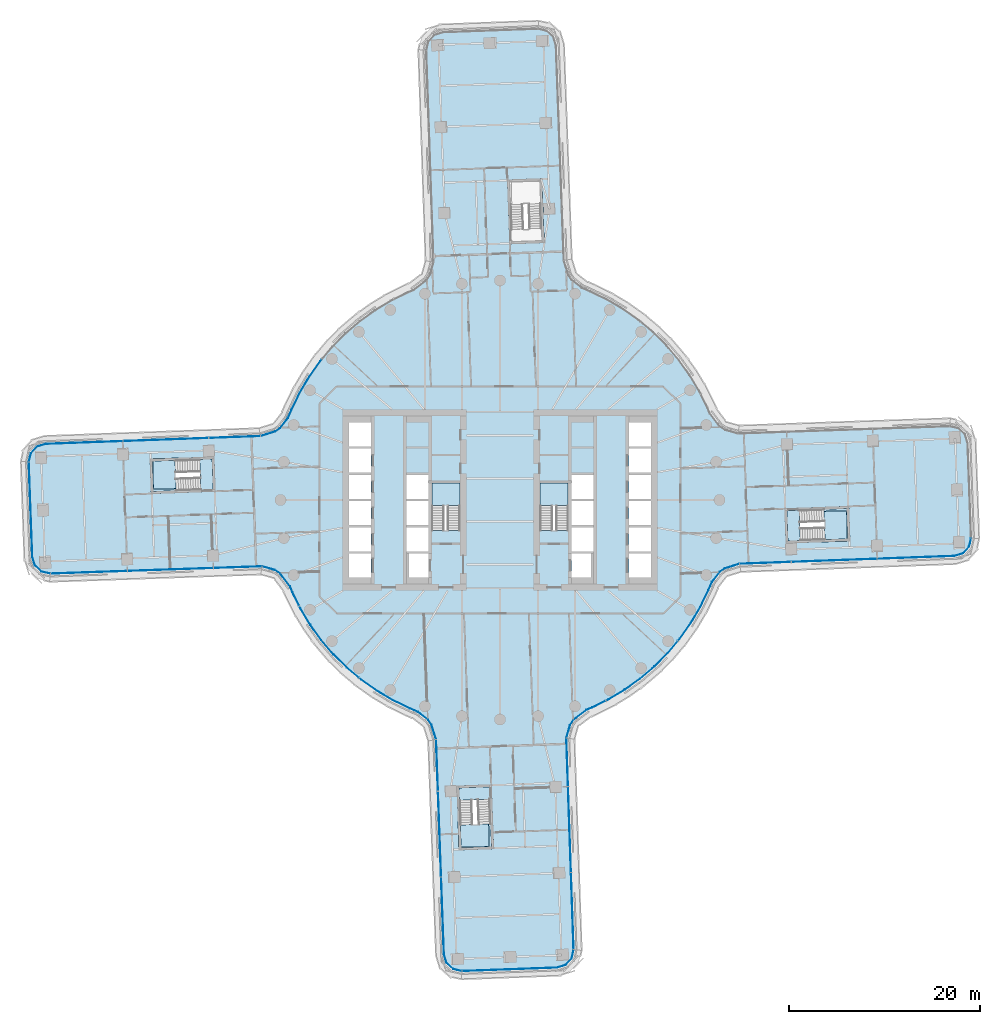
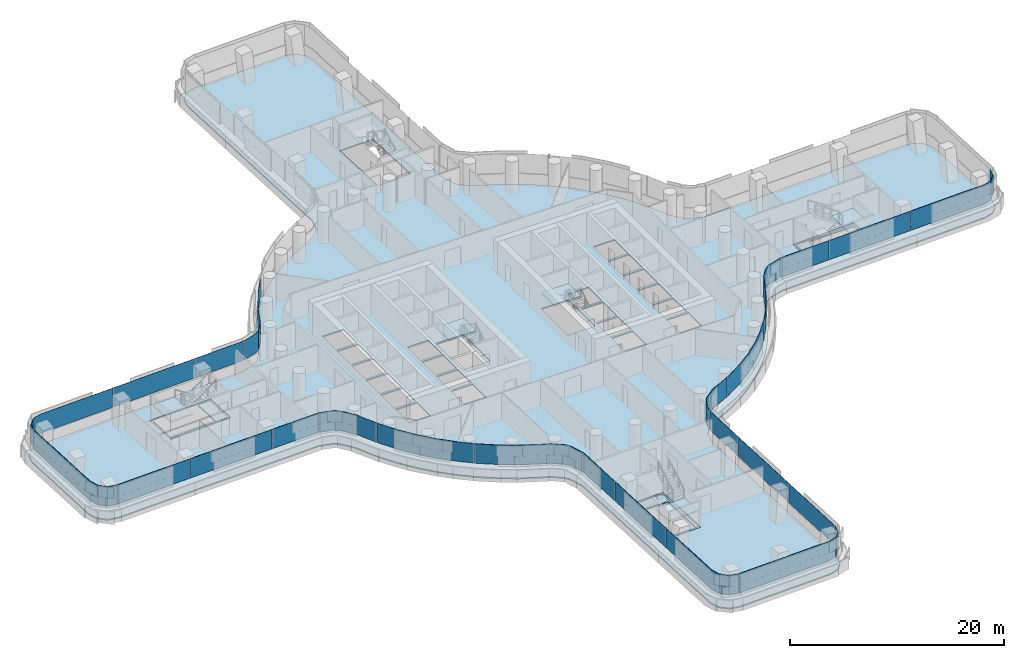
# One storey, part 17 of 31: 24 plates, 9 slabs, 15 elements without a shape of their own.
"""IFC4 building model written with IfcOpenShell, lengths in metres."""

from ifc_helpers import new_model, si_unit, direction, frame, origin, place, context, subcontext, project, spatial, polyline, outline, extrude, material, layer, layer_set, type_object, element, aggregate, save


model = new_model("IFC4")

# Units and contexts
model_context = context("Model", 3, precision=1e-05, world=origin(), true_north=direction((0.0, 1.0)))
body_context = subcontext(model_context, "Body", "Model", "MODEL_VIEW")
ifc_project = project(units=[si_unit("LENGTHUNIT", "METRE"), si_unit("AREAUNIT", "SQUARE_METRE"), si_unit("VOLUMEUNIT", "CUBIC_METRE"), si_unit("PLANEANGLEUNIT", "RADIAN"), si_unit("MASSUNIT", "GRAM", prefix="KILO")], contexts=[model_context])

# Site, building, storey
site_placement = place(None, origin())
site = spatial("IfcSite", under=ifc_project, at=site_placement, CompositionType="ELEMENT")
building_placement = place(site_placement, origin())
building = spatial("IfcBuilding", under=site, at=building_placement, Name="Tamarind Cross Interchange Tower", CompositionType="ELEMENT")
storey_placement = place(building_placement, frame((0.0, 0.0, 41.5)))
storey = spatial("IfcBuildingStorey", under=building, at=storey_placement, Name="L08", CompositionType="ELEMENT", Elevation=41.5)

# Slabs
ifc_material_1 = material(Name="Concrete C35", Category="concrete")
ifc_layer_1 = layer(ifc_material_1, 0.139892578125)
ifc_layer_set_1 = layer_set([ifc_layer_1], Name="Concrete C35")
slab_type_1 = type_object("IfcSlabType", Name="Composite slab 140 Concrete C35", PredefinedType="FLOOR", material=ifc_layer_set_1)
slab_1_placement = place(storey_placement, frame((0.0, 0.0, -0.139892578125)))
element("IfcSlab", 1, at=slab_1_placement, inside=storey, type_object=slab_type_1, Name="Floor slab L08", PredefinedType="FLOOR", context=body_context, shape_type="SweptSolid", body=[
    extrude(outline(polyline([(-23.639892578125, 7.353759765625), (-25.13623046875, 6.89013671875), (-47.640380859375, 6.069091796875), (-48.6298828125, 5.764892578125), (-49.3349609375, 5.006591796875), (-49.566162109375, 3.99755859375), (-49.20166015625, -5.995849609375), (-48.8974609375, -6.9853515625), (-48.13916015625, -7.690185546875), (-47.1298828125, -7.921630859375), (-24.973388671875, -7.16015625), (-23.666015625, -7.525390625), (-23.17041015625, -7.85107421875), (-22.162109375, -9.170166015625), (-21.93310546875, -9.7333984375), (-21.054443359375, -11.511474609375), (-20.031982421875, -13.2109375), (-18.87255859375, -14.820068359375), (-17.584228515625, -16.327880859375), (-16.17578125, -17.72412109375), (-14.656982421875, -18.99951171875), (-13.0380859375, -20.14501953125), (-11.329833984375, -21.15283203125), (-9.54443359375, -22.01611328125), (-8.688232421875, -22.39501953125), (-7.678466796875, -23.182861328125), (-7.353759765625, -23.639892578125), (-6.89013671875, -25.13623046875), (-6.069091796875, -47.640380859375), (-5.764892578125, -48.6298828125), (-5.006591796875, -49.3349609375), (-3.99755859375, -49.566162109375), (5.995849609375, -49.20166015625), (6.9853515625, -48.8974609375), (7.690185546875, -48.13916015625), (7.921630859375, -47.1298828125), (7.16015625, -24.973388671875), (7.525390625, -23.666015625), (7.85107421875, -23.17041015625), (9.170166015625, -22.162109375), (9.7333984375, -21.93310546875), (11.511474609375, -21.054443359375), (13.2109375, -20.031982421875), (14.820068359375, -18.87255859375), (16.327880859375, -17.584228515625), (17.72412109375, -16.17578125), (18.99951171875, -14.656982421875), (20.14501953125, -13.0380859375), (21.15283203125, -11.329833984375), (22.01611328125, -9.54443359375), (22.39501953125, -8.688232421875), (23.182861328125, -7.678466796875), (23.639892578125, -7.353759765625), (25.13623046875, -6.89013671875), (47.640380859375, -6.069091796875), (48.6298828125, -5.764892578125), (49.3349609375, -5.006591796875), (49.566162109375, -3.99755859375), (49.20166015625, 5.995849609375), (48.8974609375, 6.9853515625), (48.13916015625, 7.690185546875), (47.1298828125, 7.921630859375), (24.973388671875, 7.16015625), (23.666015625, 7.525390625), (23.17041015625, 7.85107421875), (22.162109375, 9.170166015625), (21.93310546875, 9.7333984375), (21.054443359375, 11.511474609375), (20.031982421875, 13.2109375), (18.87255859375, 14.820068359375), (17.584228515625, 16.327880859375), (16.17578125, 17.72412109375), (14.656982421875, 18.99951171875), (13.0380859375, 20.14501953125), (11.329833984375, 21.15283203125), (9.54443359375, 22.01611328125), (8.688232421875, 22.39501953125), (7.678466796875, 23.182861328125), (7.353759765625, 23.639892578125), (6.89013671875, 25.13623046875), (6.069091796875, 47.640380859375), (5.764892578125, 48.6298828125), (5.006591796875, 49.3349609375), (3.99755859375, 49.566162109375), (-5.995849609375, 49.20166015625), (-6.9853515625, 48.8974609375), (-7.690185546875, 48.13916015625), (-7.921630859375, 47.1298828125), (-7.16015625, 24.973388671875), (-7.525390625, 23.666015625), (-7.85107421875, 23.17041015625), (-9.170166015625, 22.162109375), (-9.7333984375, 21.93310546875), (-11.511474609375, 21.054443359375), (-13.2109375, 20.031982421875), (-14.820068359375, 18.87255859375), (-16.327880859375, 17.584228515625), (-17.72412109375, 16.17578125), (-18.99951171875, 14.656982421875), (-20.14501953125, 13.0380859375), (-21.15283203125, 11.329833984375), (-22.01611328125, 9.54443359375), (-22.39501953125, 8.688232421875), (-23.182861328125, 7.678466796875), (-23.639892578125, 7.353759765625)]), holes=[polyline([(-13.5, -8.125), (-15.800048828125, -8.125), (-15.800048828125, -5.625), (-13.5, -5.625), (-13.5, -8.125)]), polyline([(-13.5, -5.375), (-15.800048828125, -5.375), (-15.800048828125, -2.875), (-13.5, -2.875), (-13.5, -5.375)]), polyline([(-7.5, -5.375), (-9.800048828125, -5.375), (-9.800048828125, -2.875), (-7.5, -2.875), (-7.5, -5.375)]), polyline([(-15.800048828125, -2.625), (-15.800048828125, -0.125), (-13.5, -0.125), (-13.5, -2.625), (-15.800048828125, -2.625)]), polyline([(-9.800048828125, -2.625), (-9.800048828125, -0.125), (-7.5, -0.125), (-7.5, -2.625), (-9.800048828125, -2.625)]), polyline([(-29.838623046875, 0.914794921875), (-36.5341796875, 0.67041015625), (-36.54150390625, 0.870361328125), (-36.658203125, 4.068115234375), (-36.665283203125, 4.26806640625), (-36.38037109375, 4.278564453125), (-36.381591796875, 4.33837890625), (-33.09228515625, 4.3984375), (-29.9697265625, 4.512451171875), (-29.96240234375, 4.3125), (-29.845947265625, 1.11474609375), (-29.838623046875, 0.914794921875)]), polyline([(-13.5, 0.125), (-15.800048828125, 0.125), (-15.800048828125, 2.625), (-13.5, 2.625), (-13.5, 0.125)]), polyline([(-7.5, 0.125), (-9.800048828125, 0.125), (-9.800048828125, 2.625), (-7.5, 2.625), (-7.5, 0.125)]), polyline([(-13.5, 2.875), (-15.800048828125, 2.875), (-15.800048828125, 5.375), (-13.5, 5.375), (-13.5, 2.875)]), polyline([(-15.800048828125, 5.625), (-15.800048828125, 8.125), (-13.5, 8.125), (-13.5, 5.625), (-15.800048828125, 5.625)]), polyline([(-0.67041015625, -36.5341796875), (-0.870361328125, -36.54150390625), (-4.068115234375, -36.658203125), (-4.26806640625, -36.665283203125), (-4.278564453125, -36.38037109375), (-4.33837890625, -36.381591796875), (-4.3984375, -33.09228515625), (-4.512451171875, -29.9697265625), (-4.3125, -29.96240234375), (-1.11474609375, -29.845947265625), (-0.914794921875, -29.838623046875), (-0.67041015625, -36.5341796875)]), polyline([(-9.800048828125, -8.125), (-9.800048828125, -5.625), (-7.5, -5.625), (-7.5, -8.125), (-9.800048828125, -8.125)]), polyline([(9.800048828125, -2.875), (9.800048828125, -5.375), (7.5, -5.375), (7.5, -2.875), (9.800048828125, -2.875)]), polyline([(-4.199951171875, 1.800048828125), (-4.199951171875, -3.18798828125), (-7.14990234375, -3.18798828125), (-7.14990234375, 1.800048828125), (-4.199951171875, 1.800048828125)]), polyline([(7.14990234375, 1.800048828125), (7.14990234375, -3.18798828125), (4.199951171875, -3.18798828125), (4.199951171875, 1.800048828125), (7.14990234375, 1.800048828125)]), polyline([(4.621826171875, 26.9716796875), (4.421875, 26.964599609375), (1.22412109375, 26.847900390625), (1.024169921875, 26.840576171875), (0.77978515625, 33.5361328125), (0.979736328125, 33.54345703125), (4.177490234375, 33.66015625), (4.37744140625, 33.66748046875), (4.387939453125, 33.3818359375), (4.393310546875, 33.382080078125), (4.3984375, 33.09228515625), (4.621826171875, 26.9716796875)]), polyline([(7.5, -5.625), (9.800048828125, -5.625), (9.800048828125, -8.125), (7.5, -8.125), (7.5, -5.625)]), polyline([(15.800048828125, -5.625), (15.800048828125, -8.125), (13.5, -8.125), (13.5, -5.625), (15.800048828125, -5.625)]), polyline([(33.09228515625, -4.3984375), (29.9697265625, -4.512451171875), (29.96240234375, -4.3125), (29.845947265625, -1.11474609375), (29.838623046875, -0.914794921875), (36.5341796875, -0.67041015625), (36.54150390625, -0.870361328125), (36.658203125, -4.068115234375), (36.665283203125, -4.26806640625), (36.38037109375, -4.278564453125), (36.381591796875, -4.33837890625), (33.09228515625, -4.3984375)]), polyline([(13.5, -2.875), (15.800048828125, -2.875), (15.800048828125, -5.375), (13.5, -5.375), (13.5, -2.875)]), polyline([(9.800048828125, -0.125), (9.800048828125, -2.625), (7.5, -2.625), (7.5, -0.125), (9.800048828125, -0.125)]), polyline([(13.5, -0.125), (15.800048828125, -0.125), (15.800048828125, -2.625), (13.5, -2.625), (13.5, -0.125)]), polyline([(9.800048828125, 2.625), (9.800048828125, 0.125), (7.5, 0.125), (7.5, 2.625), (9.800048828125, 2.625)]), polyline([(13.5, 2.625), (15.800048828125, 2.625), (15.800048828125, 0.125), (13.5, 0.125), (13.5, 2.625)]), polyline([(15.800048828125, 5.375), (15.800048828125, 2.875), (13.5, 2.875), (13.5, 5.375), (15.800048828125, 5.375)]), polyline([(15.800048828125, 8.125), (15.800048828125, 5.625), (13.5, 5.625), (13.5, 8.125), (15.800048828125, 8.125)])]), origin(), (0.0, 0.0, 1.0), 0.139892578125),
])
slab_2_placement = place(storey_placement, frame((0.0, 0.0, -0.139892578125)))
element("IfcSlab", 2, at=slab_2_placement, inside=storey, type_object=slab_type_1, Name="Floor slab L08", PredefinedType="FLOOR", context=body_context, shape_type="SweptSolid", body=[
    extrude(outline(polyline([(-36.322998046875, 1.138916015625), (-36.376708984375, 4.07861328125), (-36.458251953125, 4.075439453125), (-36.341552734375, 0.877685546875), (-30.045654296875, 1.107421875), (-30.162353515625, 4.30517578125), (-31.39111328125, 4.260498046875), (-31.473388671875, 4.25732421875), (-31.363037109375, 1.2294921875), (-36.322998046875, 1.138916015625)])), origin(), (0.0, 0.0, 1.0), 0.139892578125),
])
slab_3_placement = place(storey_placement, frame((0.0, 0.0, -0.139892578125)))
element("IfcSlab", 3, at=slab_3_placement, inside=storey, type_object=slab_type_1, Name="Floor slab L08", PredefinedType="FLOOR", context=body_context, shape_type="SweptSolid", body=[
    extrude(outline(polyline([(-4.075439453125, -36.458251953125), (-0.877685546875, -36.341552734375), (-1.107421875, -30.045654296875), (-4.30517578125, -30.162353515625), (-4.260498046875, -31.39111328125), (-4.25732421875, -31.473388671875), (-1.2294921875, -31.363037109375), (-1.138916015625, -36.322998046875), (-4.07861328125, -36.376708984375), (-4.075439453125, -36.458251953125)])), origin(), (0.0, 0.0, 1.0), 0.139892578125),
])
slab_4_placement = place(storey_placement, frame((0.0, 0.0, -0.139892578125)))
element("IfcSlab", 4, at=slab_4_placement, inside=storey, type_object=slab_type_1, Name="Floor slab L08", PredefinedType="FLOOR", context=body_context, shape_type="SweptSolid", body=[
    extrude(outline(polyline([(36.3232421875, -1.138916015625), (36.376708984375, -4.07861328125), (36.458251953125, -4.075439453125), (36.341552734375, -0.877685546875), (30.045654296875, -1.107421875), (30.162353515625, -4.30517578125), (31.39111328125, -4.260498046875), (31.473388671875, -4.25732421875), (31.363037109375, -1.2294921875), (36.3232421875, -1.138916015625)])), origin(), (0.0, 0.0, 1.0), 0.139892578125),
])

# Stair, slab
ifc_material_2 = material(Name="Exit stair")
stair_type = type_object("IfcStairType", Name="Exit stair", PredefinedType="HALF_TURN_STAIR", material=ifc_material_2)
stair_1_placement = place(storey_placement, origin())
stair_1 = element("IfcStair", 5, at=stair_1_placement, inside=storey, type_object=stair_type, Name="L08 exit stair ST1", PredefinedType="HALF_TURN_STAIR")
ifc_material_3 = material(Name="Concrete C40", Category="concrete")
ifc_layer_2 = layer(ifc_material_3, 0.199951171875)
ifc_layer_set_2 = layer_set([ifc_layer_2], Name="Concrete C40")
slab_type_2 = type_object("IfcSlabType", Name="Stair landing", PredefinedType="LANDING", material=ifc_layer_set_2)
slab_5_placement = place(storey_placement, frame((0.0, 0.0, 1.675048828125)))
slab_5 = element("IfcSlab", 6, at=slab_5_placement, type_object=slab_type_2, Name="ST1 landing 1", PredefinedType="LANDING", context=body_context, shape_type="SweptSolid", body=[
    extrude(outline(polyline([(-4.199951171875, -0.60009765625), (-4.199951171875, 1.800048828125), (-7.14990234375, 1.800048828125), (-7.14990234375, -0.60009765625), (-4.199951171875, -0.60009765625)])), origin(), (0.0, 0.0, 1.0), 0.199951171875),
])
aggregate(stair_1, [slab_5])

stair_2_placement = place(storey_placement, origin())
stair_2 = element("IfcStair", 7, at=stair_2_placement, inside=storey, type_object=stair_type, Name="L08 exit stair ST2", PredefinedType="HALF_TURN_STAIR")
slab_6_placement = place(storey_placement, frame((0.0, 0.0, 1.675048828125)))
slab_6 = element("IfcSlab", 8, at=slab_6_placement, type_object=slab_type_2, Name="ST2 landing 1", PredefinedType="LANDING", context=body_context, shape_type="SweptSolid", body=[
    extrude(outline(polyline([(7.14990234375, -0.60009765625), (7.14990234375, 1.800048828125), (4.199951171875, 1.800048828125), (4.199951171875, -0.60009765625), (7.14990234375, -0.60009765625)])), origin(), (0.0, 0.0, 1.0), 0.199951171875),
])
aggregate(stair_2, [slab_6])

stair_3_placement = place(storey_placement, origin())
stair_3 = element("IfcStair", 9, at=stair_3_placement, inside=storey, type_object=stair_type, Name="L08 exit stair ST3", PredefinedType="HALF_TURN_STAIR")
slab_7_placement = place(storey_placement, frame((0.0, 0.0, 1.675048828125)))
slab_7 = element("IfcSlab", 10, at=slab_7_placement, type_object=slab_type_2, Name="ST3 landing 1", PredefinedType="LANDING", context=body_context, shape_type="SweptSolid", body=[
    extrude(outline(polyline([(34.0478515625, -4.16357421875), (36.458251953125, -4.075439453125), (36.341552734375, -0.877685546875), (33.93115234375, -0.965576171875), (34.0478515625, -4.16357421875)])), origin(), (0.0, 0.0, 1.0), 0.199951171875),
])
aggregate(stair_3, [slab_7])

stair_4_placement = place(storey_placement, origin())
stair_4 = element("IfcStair", 11, at=stair_4_placement, inside=storey, type_object=stair_type, Name="L08 exit stair ST5", PredefinedType="HALF_TURN_STAIR")
slab_8_placement = place(storey_placement, frame((0.0, 0.0, 1.675048828125)))
slab_8 = element("IfcSlab", 12, at=slab_8_placement, type_object=slab_type_2, Name="ST5 landing 1", PredefinedType="LANDING", context=body_context, shape_type="SweptSolid", body=[
    extrude(outline(polyline([(-34.0478515625, 4.16357421875), (-36.458251953125, 4.075439453125), (-36.341552734375, 0.877685546875), (-33.93115234375, 0.965576171875), (-34.0478515625, 4.16357421875)])), origin(), (0.0, 0.0, 1.0), 0.199951171875),
])
aggregate(stair_4, [slab_8])

stair_5_placement = place(storey_placement, origin())
stair_5 = element("IfcStair", 13, at=stair_5_placement, inside=storey, type_object=stair_type, Name="L08 exit stair ST6", PredefinedType="HALF_TURN_STAIR")
slab_9_placement = place(storey_placement, frame((0.0, 0.0, 1.675048828125)))
slab_9 = element("IfcSlab", 14, at=slab_9_placement, type_object=slab_type_2, Name="ST6 landing 1", PredefinedType="LANDING", context=body_context, shape_type="SweptSolid", body=[
    extrude(outline(polyline([(-4.16357421875, -34.0478515625), (-4.075439453125, -36.458251953125), (-0.877685546875, -36.341552734375), (-0.965576171875, -33.93115234375), (-4.16357421875, -34.0478515625)])), origin(), (0.0, 0.0, 1.0), 0.199951171875),
])
aggregate(stair_5, [slab_9])

# Curtain wall, plate
ifc_material_4 = material(Name="Aluminium 6063-T6", Category="aluminium")
ifc_layer_3 = layer(ifc_material_4, 0.159912109375)
ifc_layer_set_3 = layer_set([ifc_layer_3], Name="Aluminium 6063-T6")
curtain_wall_type = type_object("IfcCurtainWallType", Name="Office curtain wall, 9.0 m bays", PredefinedType="NOTDEFINED", material=ifc_layer_set_3)
curtain_wall_1_placement = place(storey_placement, origin())
curtain_wall_1 = element("IfcCurtainWall", 15, at=curtain_wall_1_placement, inside=storey, type_object=curtain_wall_type, Name="CWS-L08-00", PredefinedType="NOTDEFINED")
ifc_material_5 = material(Name="Laminated low-e glass 8+1.52+8", Category="glass")
ifc_layer_4 = layer(ifc_material_5, 0.028076171875)
ifc_layer_set_4 = layer_set([ifc_layer_4], Name="Laminated low-e glass 8+1.52+8")
plate_type = type_object("IfcPlateType", Name="Vision panel CW1", PredefinedType="CURTAIN_PANEL", material=ifc_layer_set_4)
plate_1_placement = place(storey_placement, frame((0.0, 0.0, 1.39990234375)))
plate_1 = element("IfcPlate", 16, at=plate_1_placement, type_object=plate_type, Name="CWP-L08-00-00", PredefinedType="CURTAIN_PANEL", context=body_context, shape_type="SweptSolid", body=[
    extrude(outline(polyline([(-49.350341796875, 3.948974609375), (-48.98876953125, -5.9599609375), (-48.709716796875, -6.86767578125), (-48.035400390625, -7.494384765625), (-47.136962890625, -7.700439453125), (-47.14306640625, -7.727783203125), (-48.049072265625, -7.52001953125), (-48.734130859375, -6.883056640625), (-49.0166015625, -5.964599609375), (-49.37841796875, 3.947998046875), (-49.350341796875, 3.948974609375)])), origin(), (0.0, 0.0, 1.0), 2.210205078125),
])
aggregate(curtain_wall_1, [plate_1])

# Curtain wall, plates
curtain_wall_2_placement = place(storey_placement, origin())
curtain_wall_2 = element("IfcCurtainWall", 17, at=curtain_wall_2_placement, inside=storey, type_object=curtain_wall_type, Name="CWS-L08-01", PredefinedType="NOTDEFINED")
plate_2_placement = place(storey_placement, frame((0.0, 0.0, 1.39990234375)))
plate_2 = element("IfcPlate", 18, at=plate_2_placement, type_object=plate_type, Name="CWP-L08-01-00", PredefinedType="CURTAIN_PANEL", context=body_context, shape_type="SweptSolid", body=[
    extrude(outline(polyline([(-47.081298828125, -7.705810546875), (-39.042236328125, -7.429443359375), (-39.041259765625, -7.45751953125), (-47.080322265625, -7.733642578125), (-47.081298828125, -7.705810546875)])), origin(), (0.0, 0.0, 1.0), 2.210205078125),
])
plate_3_placement = place(storey_placement, frame((0.0, 0.0, 1.39990234375)))
plate_3 = element("IfcPlate", 19, at=plate_3_placement, type_object=plate_type, Name="CWP-L08-01-01", PredefinedType="CURTAIN_PANEL", context=body_context, shape_type="SweptSolid", body=[
    extrude(outline(polyline([(-38.982177734375, -7.427490234375), (-30.045654296875, -7.120361328125), (-30.044677734375, -7.1484375), (-38.981201171875, -7.455322265625), (-38.982177734375, -7.427490234375)])), origin(), (0.0, 0.0, 1.0), 2.210205078125),
])
plate_4_placement = place(storey_placement, frame((0.0, 0.0, 1.39990234375)))
plate_4 = element("IfcPlate", 20, at=plate_4_placement, type_object=plate_type, Name="CWP-L08-01-02", PredefinedType="CURTAIN_PANEL", context=body_context, shape_type="SweptSolid", body=[
    extrude(outline(polyline([(-29.985595703125, -7.118408203125), (-24.97998046875, -6.9462890625), (-24.97900390625, -6.974365234375), (-29.984619140625, -7.146240234375), (-29.985595703125, -7.118408203125)])), origin(), (0.0, 0.0, 1.0), 2.210205078125),
])
aggregate(curtain_wall_2, [plate_2, plate_3, plate_4])

curtain_wall_3_placement = place(storey_placement, origin())
curtain_wall_3 = element("IfcCurtainWall", 21, at=curtain_wall_3_placement, inside=storey, type_object=curtain_wall_type, Name="CWS-L08-02", PredefinedType="NOTDEFINED")
plate_5_placement = place(storey_placement, frame((0.0, 0.0, 1.39990234375)))
plate_5 = element("IfcPlate", 22, at=plate_5_placement, type_object=plate_type, Name="CWP-L08-02-00", PredefinedType="CURTAIN_PANEL", context=body_context, shape_type="SweptSolid", body=[
    extrude(outline(polyline([(-24.916748046875, -6.953857421875), (-23.576416015625, -7.328125), (-23.0224609375, -7.692138671875), (-21.974609375, -9.06298828125), (-21.73779296875, -9.645751953125), (-21.03662109375, -11.064697265625), (-21.061767578125, -11.0771484375), (-21.763427734375, -9.6572265625), (-21.999267578125, -9.0771484375), (-23.041748046875, -7.712890625), (-23.588134765625, -7.35400390625), (-24.92431640625, -6.980712890625), (-24.916748046875, -6.953857421875)])), origin(), (0.0, 0.0, 1.0), 2.210205078125),
])
plate_6_placement = place(storey_placement, frame((0.0, 0.0, 1.39990234375)))
plate_6 = element("IfcPlate", 23, at=plate_6_placement, type_object=plate_type, Name="CWP-L08-02-01", PredefinedType="CURTAIN_PANEL", context=body_context, shape_type="SweptSolid", body=[
    extrude(outline(polyline([(-21.010009765625, -11.118408203125), (-20.866455078125, -11.40869140625), (-19.85302734375, -13.093017578125), (-18.7041015625, -14.687744140625), (-17.42724609375, -16.18212890625), (-16.031494140625, -17.56591796875), (-14.787353515625, -18.610595703125), (-14.805419921875, -18.632080078125), (-16.05029296875, -17.586669921875), (-17.44775390625, -16.201171875), (-18.72607421875, -14.705078125), (-19.87646484375, -13.1083984375), (-20.89111328125, -11.422119140625), (-21.03515625, -11.130859375), (-21.010009765625, -11.118408203125)])), origin(), (0.0, 0.0, 1.0), 2.210205078125),
])
plate_7_placement = place(storey_placement, frame((0.0, 0.0, 1.39990234375)))
plate_7 = element("IfcPlate", 24, at=plate_7_placement, type_object=plate_type, Name="CWP-L08-02-02", PredefinedType="CURTAIN_PANEL", context=body_context, shape_type="SweptSolid", body=[
    extrude(outline(polyline([(-14.741455078125, -18.649169921875), (-14.526123046875, -18.829833984375), (-12.921630859375, -19.965087890625), (-11.228759765625, -20.9638671875), (-9.45458984375, -21.82177734375), (-8.577392578125, -22.2099609375), (-7.522216796875, -23.033447265625), (-7.159423828125, -23.5439453125), (-6.686767578125, -25.069580078125), (-6.713623046875, -25.077880859375), (-7.184814453125, -23.556640625), (-7.54248046875, -23.052978515625), (-8.592041015625, -22.234130859375), (-9.46630859375, -21.847412109375), (-11.241943359375, -20.98876953125), (-12.936767578125, -19.988525390625), (-14.543212890625, -18.85205078125), (-14.75927734375, -18.670654296875), (-14.741455078125, -18.649169921875)])), origin(), (0.0, 0.0, 1.0), 2.210205078125),
])
aggregate(curtain_wall_3, [plate_5, plate_6, plate_7])

curtain_wall_4_placement = place(storey_placement, origin())
curtain_wall_4 = element("IfcCurtainWall", 25, at=curtain_wall_4_placement, inside=storey, type_object=curtain_wall_type, Name="CWS-L08-03", PredefinedType="NOTDEFINED")
plate_8_placement = place(storey_placement, frame((0.0, 0.0, 1.39990234375)))
plate_8 = element("IfcPlate", 26, at=plate_8_placement, type_object=plate_type, Name="CWP-L08-03-00", PredefinedType="CURTAIN_PANEL", context=body_context, shape_type="SweptSolid", body=[
    extrude(outline(polyline([(-6.67626953125, -25.1318359375), (-6.48095703125, -30.4853515625), (-6.5087890625, -30.486328125), (-6.704345703125, -25.1328125), (-6.67626953125, -25.1318359375)])), origin(), (0.0, 0.0, 1.0), 2.210205078125),
])
plate_9_placement = place(storey_placement, frame((0.0, 0.0, 1.39990234375)))
plate_9 = element("IfcPlate", 27, at=plate_9_placement, type_object=plate_type, Name="CWP-L08-03-01", PredefinedType="CURTAIN_PANEL", context=body_context, shape_type="SweptSolid", body=[
    extrude(outline(polyline([(-6.478759765625, -30.54541015625), (-6.15283203125, -39.4794921875), (-6.1806640625, -39.48046875), (-6.506591796875, -30.54638671875), (-6.478759765625, -30.54541015625)])), origin(), (0.0, 0.0, 1.0), 2.210205078125),
])
plate_10_placement = place(storey_placement, frame((0.0, 0.0, 1.39990234375)))
plate_10 = element("IfcPlate", 28, at=plate_10_placement, type_object=plate_type, Name="CWP-L08-03-02", PredefinedType="CURTAIN_PANEL", context=body_context, shape_type="SweptSolid", body=[
    extrude(outline(polyline([(-6.150634765625, -39.53955078125), (-5.856201171875, -47.6044921875), (-5.5771484375, -48.512451171875), (-4.90283203125, -49.13916015625), (-4.004638671875, -49.344970703125), (-4.010986328125, -49.372314453125), (-4.91650390625, -49.164794921875), (-5.601806640625, -48.52783203125), (-5.884033203125, -47.609130859375), (-6.178466796875, -39.54052734375), (-6.150634765625, -39.53955078125)])), origin(), (0.0, 0.0, 1.0), 2.210205078125),
])
aggregate(curtain_wall_4, [plate_8, plate_9, plate_10])

# Curtain wall, plate
curtain_wall_5_placement = place(storey_placement, origin())
curtain_wall_5 = element("IfcCurtainWall", 29, at=curtain_wall_5_placement, inside=storey, type_object=curtain_wall_type, Name="CWS-L08-04", PredefinedType="NOTDEFINED")
plate_11_placement = place(storey_placement, frame((0.0, 0.0, 1.39990234375)))
plate_11 = element("IfcPlate", 30, at=plate_11_placement, type_object=plate_type, Name="CWP-L08-04-00", PredefinedType="CURTAIN_PANEL", context=body_context, shape_type="SweptSolid", body=[
    extrude(outline(polyline([(-3.948974609375, -49.350341796875), (5.9599609375, -48.98876953125), (6.86767578125, -48.709716796875), (7.494384765625, -48.035400390625), (7.700439453125, -47.136962890625), (7.727783203125, -47.14306640625), (7.52001953125, -48.049072265625), (6.883056640625, -48.734130859375), (5.964599609375, -49.0166015625), (-3.947998046875, -49.37841796875), (-3.948974609375, -49.350341796875)])), origin(), (0.0, 0.0, 1.0), 2.210205078125),
])
aggregate(curtain_wall_5, [plate_11])

# Curtain wall, plates
curtain_wall_6_placement = place(storey_placement, origin())
curtain_wall_6 = element("IfcCurtainWall", 31, at=curtain_wall_6_placement, inside=storey, type_object=curtain_wall_type, Name="CWS-L08-05", PredefinedType="NOTDEFINED")
plate_12_placement = place(storey_placement, frame((0.0, 0.0, 1.39990234375)))
plate_12 = element("IfcPlate", 32, at=plate_12_placement, type_object=plate_type, Name="CWP-L08-05-00", PredefinedType="CURTAIN_PANEL", context=body_context, shape_type="SweptSolid", body=[
    extrude(outline(polyline([(7.705810546875, -47.081298828125), (7.429443359375, -39.042236328125), (7.45751953125, -39.041259765625), (7.733642578125, -47.080322265625), (7.705810546875, -47.081298828125)])), origin(), (0.0, 0.0, 1.0), 2.210205078125),
])
plate_13_placement = place(storey_placement, frame((0.0, 0.0, 1.39990234375)))
plate_13 = element("IfcPlate", 33, at=plate_13_placement, type_object=plate_type, Name="CWP-L08-05-01", PredefinedType="CURTAIN_PANEL", context=body_context, shape_type="SweptSolid", body=[
    extrude(outline(polyline([(7.427490234375, -38.982177734375), (7.120361328125, -30.045654296875), (7.1484375, -30.044677734375), (7.455322265625, -38.981201171875), (7.427490234375, -38.982177734375)])), origin(), (0.0, 0.0, 1.0), 2.210205078125),
])
plate_14_placement = place(storey_placement, frame((0.0, 0.0, 1.39990234375)))
plate_14 = element("IfcPlate", 34, at=plate_14_placement, type_object=plate_type, Name="CWP-L08-05-02", PredefinedType="CURTAIN_PANEL", context=body_context, shape_type="SweptSolid", body=[
    extrude(outline(polyline([(7.118408203125, -29.985595703125), (6.9462890625, -24.97998046875), (6.974365234375, -24.97900390625), (7.146240234375, -29.984619140625), (7.118408203125, -29.985595703125)])), origin(), (0.0, 0.0, 1.0), 2.210205078125),
])
aggregate(curtain_wall_6, [plate_12, plate_13, plate_14])

curtain_wall_7_placement = place(storey_placement, origin())
curtain_wall_7 = element("IfcCurtainWall", 35, at=curtain_wall_7_placement, inside=storey, type_object=curtain_wall_type, Name="CWS-L08-06", PredefinedType="NOTDEFINED")
plate_15_placement = place(storey_placement, frame((0.0, 0.0, 1.39990234375)))
plate_15 = element("IfcPlate", 36, at=plate_15_placement, type_object=plate_type, Name="CWP-L08-06-00", PredefinedType="CURTAIN_PANEL", context=body_context, shape_type="SweptSolid", body=[
    extrude(outline(polyline([(6.953857421875, -24.916748046875), (7.328125, -23.576416015625), (7.692138671875, -23.0224609375), (9.06298828125, -21.974609375), (9.645751953125, -21.73779296875), (11.064697265625, -21.03662109375), (11.0771484375, -21.061767578125), (9.6572265625, -21.763427734375), (9.0771484375, -21.999267578125), (7.712890625, -23.041748046875), (7.35400390625, -23.588134765625), (6.980712890625, -24.92431640625), (6.953857421875, -24.916748046875)])), origin(), (0.0, 0.0, 1.0), 2.210205078125),
])
plate_16_placement = place(storey_placement, frame((0.0, 0.0, 1.39990234375)))
plate_16 = element("IfcPlate", 37, at=plate_16_placement, type_object=plate_type, Name="CWP-L08-06-01", PredefinedType="CURTAIN_PANEL", context=body_context, shape_type="SweptSolid", body=[
    extrude(outline(polyline([(11.118408203125, -21.010009765625), (11.40869140625, -20.866455078125), (13.093017578125, -19.85302734375), (14.687744140625, -18.7041015625), (16.18212890625, -17.42724609375), (17.56591796875, -16.031494140625), (18.610595703125, -14.787353515625), (18.632080078125, -14.805419921875), (17.586669921875, -16.05029296875), (16.201171875, -17.44775390625), (14.705078125, -18.72607421875), (13.1083984375, -19.87646484375), (11.422119140625, -20.89111328125), (11.130859375, -21.03515625), (11.118408203125, -21.010009765625)])), origin(), (0.0, 0.0, 1.0), 2.210205078125),
])
plate_17_placement = place(storey_placement, frame((0.0, 0.0, 1.39990234375)))
plate_17 = element("IfcPlate", 38, at=plate_17_placement, type_object=plate_type, Name="CWP-L08-06-02", PredefinedType="CURTAIN_PANEL", context=body_context, shape_type="SweptSolid", body=[
    extrude(outline(polyline([(18.649169921875, -14.741455078125), (18.829833984375, -14.526123046875), (19.965087890625, -12.921630859375), (20.9638671875, -11.228759765625), (21.82177734375, -9.45458984375), (22.2099609375, -8.577392578125), (23.033447265625, -7.522216796875), (23.5439453125, -7.159423828125), (25.069580078125, -6.686767578125), (25.077880859375, -6.713623046875), (23.556640625, -7.184814453125), (23.052978515625, -7.54248046875), (22.234130859375, -8.592041015625), (21.847412109375, -9.46630859375), (20.98876953125, -11.241943359375), (19.988525390625, -12.936767578125), (18.85205078125, -14.543212890625), (18.670654296875, -14.75927734375), (18.649169921875, -14.741455078125)])), origin(), (0.0, 0.0, 1.0), 2.210205078125),
])
aggregate(curtain_wall_7, [plate_15, plate_16, plate_17])

curtain_wall_8_placement = place(storey_placement, origin())
curtain_wall_8 = element("IfcCurtainWall", 39, at=curtain_wall_8_placement, inside=storey, type_object=curtain_wall_type, Name="CWS-L08-07", PredefinedType="NOTDEFINED")
plate_18_placement = place(storey_placement, frame((0.0, 0.0, 1.39990234375)))
plate_18 = element("IfcPlate", 40, at=plate_18_placement, type_object=plate_type, Name="CWP-L08-07-00", PredefinedType="CURTAIN_PANEL", context=body_context, shape_type="SweptSolid", body=[
    extrude(outline(polyline([(25.1318359375, -6.67626953125), (30.4853515625, -6.48095703125), (30.486328125, -6.5087890625), (25.1328125, -6.704345703125), (25.1318359375, -6.67626953125)])), origin(), (0.0, 0.0, 1.0), 2.210205078125),
])
plate_19_placement = place(storey_placement, frame((0.0, 0.0, 1.39990234375)))
plate_19 = element("IfcPlate", 41, at=plate_19_placement, type_object=plate_type, Name="CWP-L08-07-01", PredefinedType="CURTAIN_PANEL", context=body_context, shape_type="SweptSolid", body=[
    extrude(outline(polyline([(30.54541015625, -6.478759765625), (39.4794921875, -6.15283203125), (39.48046875, -6.1806640625), (30.54638671875, -6.506591796875), (30.54541015625, -6.478759765625)])), origin(), (0.0, 0.0, 1.0), 2.210205078125),
])
plate_20_placement = place(storey_placement, frame((0.0, 0.0, 1.39990234375)))
plate_20 = element("IfcPlate", 42, at=plate_20_placement, type_object=plate_type, Name="CWP-L08-07-02", PredefinedType="CURTAIN_PANEL", context=body_context, shape_type="SweptSolid", body=[
    extrude(outline(polyline([(39.53955078125, -6.150634765625), (47.6044921875, -5.856201171875), (48.512451171875, -5.5771484375), (49.13916015625, -4.90283203125), (49.344970703125, -4.004638671875), (49.372314453125, -4.010986328125), (49.164794921875, -4.91650390625), (48.52783203125, -5.601806640625), (47.609130859375, -5.884033203125), (39.54052734375, -6.178466796875), (39.53955078125, -6.150634765625)])), origin(), (0.0, 0.0, 1.0), 2.210205078125),
])
aggregate(curtain_wall_8, [plate_18, plate_19, plate_20])

# Curtain wall, plate
curtain_wall_9_placement = place(storey_placement, origin())
curtain_wall_9 = element("IfcCurtainWall", 43, at=curtain_wall_9_placement, inside=storey, type_object=curtain_wall_type, Name="CWS-L08-14", PredefinedType="NOTDEFINED")
plate_21_placement = place(storey_placement, frame((0.0, 0.0, 1.39990234375)))
plate_21 = element("IfcPlate", 44, at=plate_21_placement, type_object=plate_type, Name="CWP-L08-14-02", PredefinedType="CURTAIN_PANEL", context=body_context, shape_type="SweptSolid", body=[
    extrude(outline(polyline([(-18.649169921875, 14.741455078125), (-18.829833984375, 14.526123046875), (-19.965087890625, 12.921630859375), (-20.9638671875, 11.228759765625), (-21.82177734375, 9.45458984375), (-22.2099609375, 8.577392578125), (-23.033447265625, 7.522216796875), (-23.5439453125, 7.159423828125), (-25.069580078125, 6.686767578125), (-25.077880859375, 6.713623046875), (-23.556640625, 7.184814453125), (-23.052978515625, 7.54248046875), (-22.234130859375, 8.592041015625), (-21.847412109375, 9.46630859375), (-20.98876953125, 11.241943359375), (-19.988525390625, 12.936767578125), (-18.85205078125, 14.543212890625), (-18.670654296875, 14.75927734375), (-18.649169921875, 14.741455078125)])), origin(), (0.0, 0.0, 1.0), 2.210205078125),
])
aggregate(curtain_wall_9, [plate_21])

# Curtain wall, plates
curtain_wall_10_placement = place(storey_placement, origin())
curtain_wall_10 = element("IfcCurtainWall", 45, at=curtain_wall_10_placement, inside=storey, type_object=curtain_wall_type, Name="CWS-L08-15", PredefinedType="NOTDEFINED")
plate_22_placement = place(storey_placement, frame((0.0, 0.0, 1.39990234375)))
plate_22 = element("IfcPlate", 46, at=plate_22_placement, type_object=plate_type, Name="CWP-L08-15-00", PredefinedType="CURTAIN_PANEL", context=body_context, shape_type="SweptSolid", body=[
    extrude(outline(polyline([(-25.1318359375, 6.67626953125), (-30.4853515625, 6.48095703125), (-30.486328125, 6.5087890625), (-25.1328125, 6.704345703125), (-25.1318359375, 6.67626953125)])), origin(), (0.0, 0.0, 1.0), 2.210205078125),
])
plate_23_placement = place(storey_placement, frame((0.0, 0.0, 1.39990234375)))
plate_23 = element("IfcPlate", 47, at=plate_23_placement, type_object=plate_type, Name="CWP-L08-15-01", PredefinedType="CURTAIN_PANEL", context=body_context, shape_type="SweptSolid", body=[
    extrude(outline(polyline([(-30.54541015625, 6.478759765625), (-39.4794921875, 6.15283203125), (-39.48046875, 6.1806640625), (-30.54638671875, 6.506591796875), (-30.54541015625, 6.478759765625)])), origin(), (0.0, 0.0, 1.0), 2.210205078125),
])
plate_24_placement = place(storey_placement, frame((0.0, 0.0, 1.39990234375)))
plate_24 = element("IfcPlate", 48, at=plate_24_placement, type_object=plate_type, Name="CWP-L08-15-02", PredefinedType="CURTAIN_PANEL", context=body_context, shape_type="SweptSolid", body=[
    extrude(outline(polyline([(-39.53955078125, 6.150634765625), (-47.6044921875, 5.856201171875), (-48.512451171875, 5.5771484375), (-49.13916015625, 4.90283203125), (-49.344970703125, 4.004638671875), (-49.372314453125, 4.010986328125), (-49.164794921875, 4.91650390625), (-48.52783203125, 5.601806640625), (-47.609130859375, 5.884033203125), (-39.54052734375, 6.178466796875), (-39.53955078125, 6.150634765625)])), origin(), (0.0, 0.0, 1.0), 2.210205078125),
])
aggregate(curtain_wall_10, [plate_22, plate_23, plate_24])

save(model, "model.ifc")
